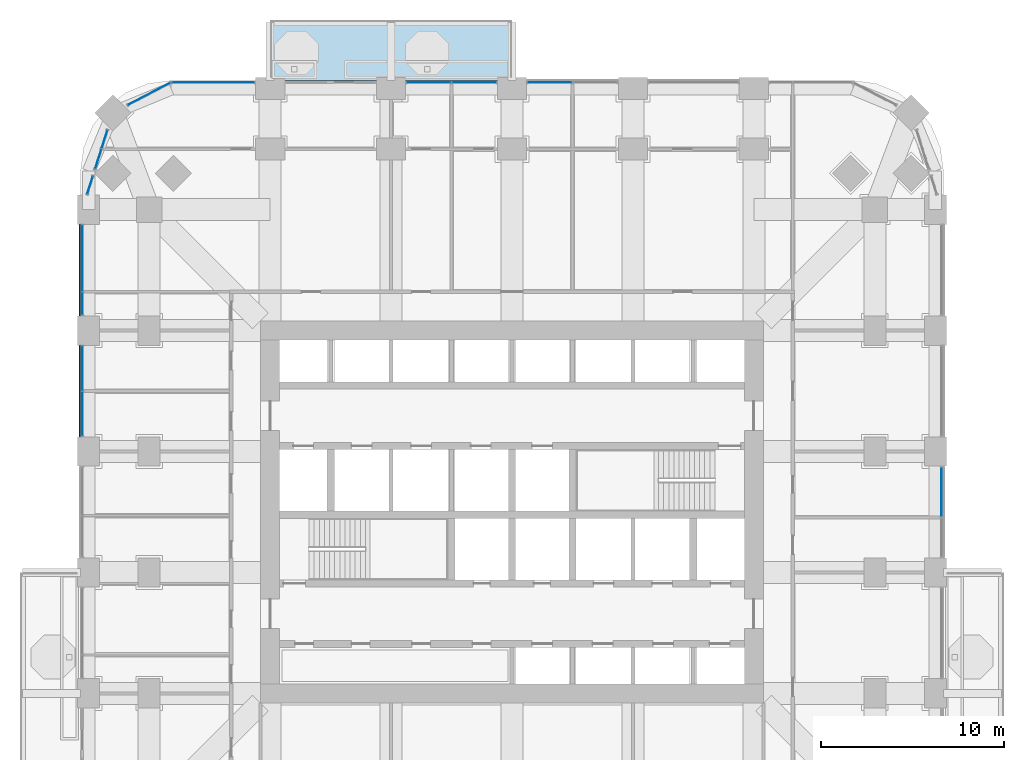
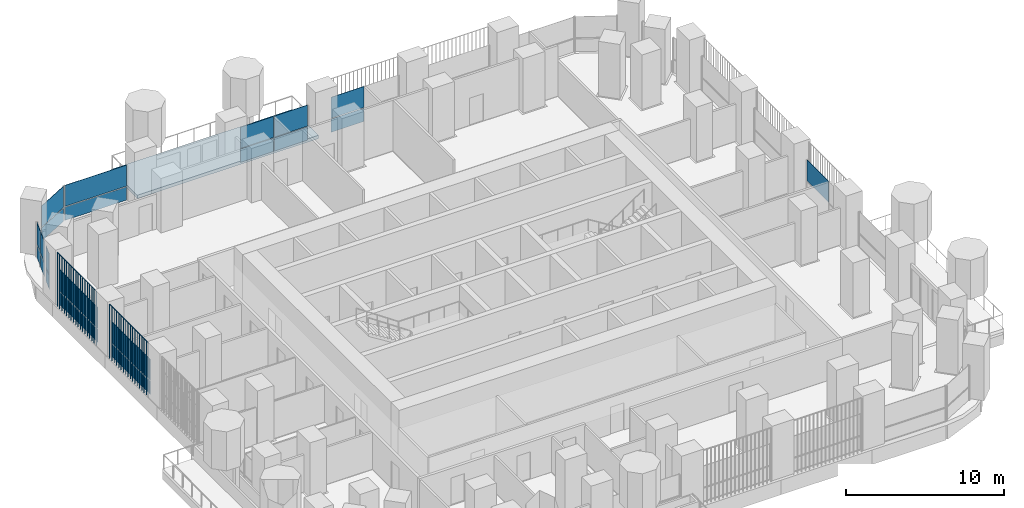
# One storey, part 10 of 21: 27 plates, 1 slab, 9 elements without a shape of their own.
"""IFC4 building model written with IfcOpenShell, lengths in metres."""

from ifc_helpers import new_model, si_unit, direction, frame, origin, origin_2d, place, context, subcontext, project, spatial, polyline, rectangle, outline, extrude, material, layer, layer_set, type_object, element, aggregate, save


model = new_model("IFC4")

# Units and contexts
model_context = context("Model", 3, precision=1e-05, world=origin(), true_north=direction((0.0, 1.0)))
body_context = subcontext(model_context, "Body", "Model", "MODEL_VIEW")
ifc_project = project(units=[si_unit("LENGTHUNIT", "METRE"), si_unit("AREAUNIT", "SQUARE_METRE"), si_unit("VOLUMEUNIT", "CUBIC_METRE"), si_unit("PLANEANGLEUNIT", "RADIAN"), si_unit("MASSUNIT", "GRAM", prefix="KILO")], contexts=[model_context])

# Site, building, storey
site_placement = place(None, origin())
site = spatial("IfcSite", under=ifc_project, at=site_placement, CompositionType="ELEMENT")
building_placement = place(site_placement, origin())
building = spatial("IfcBuilding", under=site, at=building_placement, Name="Cobogo Forest Laboratory Tower", CompositionType="ELEMENT")
storey_placement = place(building_placement, frame((0.0, 0.0, 90.60009765625)))
storey = spatial("IfcBuildingStorey", under=building, at=storey_placement, Name="L20", CompositionType="ELEMENT", Elevation=90.60009765625)

# Slab
ifc_material_1 = material(Name="Concrete HA-40 (C40/50)", Category="concrete")
ifc_layer_1 = layer(ifc_material_1, 0.25)
ifc_layer_set_1 = layer_set([ifc_layer_1], Name="Balcony slab 250")
slab_type = type_object("IfcSlabType", Name="Balcony slab 250", PredefinedType="FLOOR", material=ifc_layer_set_1)
slab_placement = place(storey_placement, frame((0.0, 0.0, -0.25)))
element("IfcSlab", 1, at=slab_placement, inside=storey, type_object=slab_type, Name="Balcony BAL-N1 L20", PredefinedType="FLOOR", context=body_context, shape_type="SweptSolid", body=[
    extrude(outline(polyline([(13.199951171875, 46.64990234375), (26.39990234375, 46.64990234375), (26.39990234375, 49.949951171875), (13.199951171875, 49.949951171875), (13.199951171875, 46.64990234375)])), origin(), (0.0, 0.0, 1.0), 0.25),
])

# Curtain wall, plate
ifc_material_2 = material(Name="Aluminium curtain wall", Category="aluminium")
curtain_wall_type = type_object("IfcCurtainWallType", Name="CW-1 unitised curtain wall, clear glazing, laboratory floors zones A and B", PredefinedType="USERDEFINED", material=ifc_material_2)
curtain_wall_1_placement = place(storey_placement, origin())
curtain_wall_1 = element("IfcCurtainWall", 2, at=curtain_wall_1_placement, inside=storey, type_object=curtain_wall_type, Name="Curtain wall 12 L20", ObjectType="UNITISED CURTAIN WALL", PredefinedType="USERDEFINED")
ifc_material_3 = material(Name="Clear insulated glass", Category="glass")
ifc_layer_2 = layer(ifc_material_3, 0.028076171875)
ifc_layer_set_2 = layer_set([ifc_layer_2], Name="GP-1 clear insulated glass unit 28")
plate_type_1 = type_object("IfcPlateType", Name="GP-1 clear insulated glass unit 28", PredefinedType="CURTAIN_PANEL", material=ifc_layer_set_2)
plate_1_placement = place(storey_placement, frame((49.85009765625, 24.18505859375, 1.079833984375), z_axis=(0.0, 0.0, 1.0), x_axis=(0.0, 1.0, 0.0)))
plate_1 = element("IfcPlate", 3, at=plate_1_placement, type_object=plate_type_1, Name="CW-1 panel 2.2", PredefinedType="CURTAIN_PANEL", context=body_context, shape_type="SweptSolid", body=[
    extrude(rectangle(XDim=2.7099609375, YDim=0.028076171875, at=origin_2d()), origin(), (0.0, 0.0, 1.0), 1.6201171875),
])
aggregate(curtain_wall_1, [plate_1])

# Curtain wall, plates
curtain_wall_2_placement = place(storey_placement, origin())
curtain_wall_2 = element("IfcCurtainWall", 4, at=curtain_wall_2_placement, inside=storey, type_object=curtain_wall_type, Name="Curtain wall 20 L20", ObjectType="UNITISED CURTAIN WALL", PredefinedType="USERDEFINED")
plate_2_placement = place(storey_placement, frame((28.465087890625, 46.550048828125, 0.0), z_axis=(0.0, 0.0, 1.0), x_axis=(-1.0, 0.0, 0.0)))
plate_2 = element("IfcPlate", 5, at=plate_2_placement, type_object=plate_type_1, Name="CW-1 panel 2.1", PredefinedType="CURTAIN_PANEL", context=body_context, shape_type="SweptSolid", body=[
    extrude(rectangle(XDim=2.409912109375, YDim=0.028076171875, at=origin_2d()), origin(), (0.0, 0.0, 1.0), 1.02001953125),
])
plate_3_placement = place(storey_placement, frame((28.465087890625, 46.550048828125, 1.079833984375), z_axis=(0.0, 0.0, 1.0), x_axis=(-1.0, 0.0, 0.0)))
plate_3 = element("IfcPlate", 6, at=plate_3_placement, type_object=plate_type_1, Name="CW-1 panel 2.2", PredefinedType="CURTAIN_PANEL", context=body_context, shape_type="SweptSolid", body=[
    extrude(rectangle(XDim=2.409912109375, YDim=0.028076171875, at=origin_2d()), origin(), (0.0, 0.0, 1.0), 1.6201171875),
])
aggregate(curtain_wall_2, [plate_2, plate_3])

curtain_wall_3_placement = place(storey_placement, origin())
curtain_wall_3 = element("IfcCurtainWall", 7, at=curtain_wall_3_placement, inside=storey, type_object=curtain_wall_type, Name="Curtain wall 21 L20", ObjectType="UNITISED CURTAIN WALL", PredefinedType="USERDEFINED")
plate_4_placement = place(storey_placement, frame((24.3349609375, 46.550048828125, 0.0), z_axis=(0.0, 0.0, 1.0), x_axis=(-1.0, 0.0, 0.0)))
plate_4 = element("IfcPlate", 8, at=plate_4_placement, type_object=plate_type_1, Name="CW-1 panel 1.1", PredefinedType="CURTAIN_PANEL", context=body_context, shape_type="SweptSolid", body=[
    extrude(rectangle(XDim=2.409912109375, YDim=0.028076171875, at=origin_2d()), origin(), (0.0, 0.0, 1.0), 1.02001953125),
])
plate_5_placement = place(storey_placement, frame((24.3349609375, 46.550048828125, 1.079833984375), z_axis=(0.0, 0.0, 1.0), x_axis=(-1.0, 0.0, 0.0)))
plate_5 = element("IfcPlate", 9, at=plate_5_placement, type_object=plate_type_1, Name="CW-1 panel 1.2", PredefinedType="CURTAIN_PANEL", context=body_context, shape_type="SweptSolid", body=[
    extrude(rectangle(XDim=2.409912109375, YDim=0.028076171875, at=origin_2d()), origin(), (0.0, 0.0, 1.0), 1.6201171875),
])
plate_6_placement = place(storey_placement, frame((21.864990234375, 46.550048828125, 0.0), z_axis=(0.0, 0.0, 1.0), x_axis=(-1.0, 0.0, 0.0)))
plate_6 = element("IfcPlate", 10, at=plate_6_placement, type_object=plate_type_1, Name="CW-1 panel 2.1", PredefinedType="CURTAIN_PANEL", context=body_context, shape_type="SweptSolid", body=[
    extrude(rectangle(XDim=2.409912109375, YDim=0.028076171875, at=origin_2d()), origin(), (0.0, 0.0, 1.0), 1.02001953125),
])
plate_7_placement = place(storey_placement, frame((21.864990234375, 46.550048828125, 1.079833984375), z_axis=(0.0, 0.0, 1.0), x_axis=(-1.0, 0.0, 0.0)))
plate_7 = element("IfcPlate", 11, at=plate_7_placement, type_object=plate_type_1, Name="CW-1 panel 2.2", PredefinedType="CURTAIN_PANEL", context=body_context, shape_type="SweptSolid", body=[
    extrude(rectangle(XDim=2.409912109375, YDim=0.028076171875, at=origin_2d()), origin(), (0.0, 0.0, 1.0), 1.6201171875),
])
aggregate(curtain_wall_3, [plate_4, plate_5, plate_6, plate_7])

curtain_wall_4_placement = place(storey_placement, origin())
curtain_wall_4 = element("IfcCurtainWall", 12, at=curtain_wall_4_placement, inside=storey, type_object=curtain_wall_type, Name="Curtain wall 23 L20", ObjectType="UNITISED CURTAIN WALL", PredefinedType="USERDEFINED")
plate_8_placement = place(storey_placement, frame((10.10009765625, 46.550048828125, 0.0), z_axis=(0.0, 0.0, 1.0), x_axis=(-1.0, 0.0, 0.0)))
plate_8 = element("IfcPlate", 13, at=plate_8_placement, type_object=plate_type_1, Name="CW-1 panel 1.1", PredefinedType="CURTAIN_PANEL", context=body_context, shape_type="SweptSolid", body=[
    extrude(rectangle(XDim=4.47998046875, YDim=0.028076171875, at=origin_2d()), origin(), (0.0, 0.0, 1.0), 1.02001953125),
])
plate_9_placement = place(storey_placement, frame((10.10009765625, 46.550048828125, 1.079833984375), z_axis=(0.0, 0.0, 1.0), x_axis=(-1.0, 0.0, 0.0)))
plate_9 = element("IfcPlate", 14, at=plate_9_placement, type_object=plate_type_1, Name="CW-1 panel 1.2", PredefinedType="CURTAIN_PANEL", context=body_context, shape_type="SweptSolid", body=[
    extrude(rectangle(XDim=4.47998046875, YDim=0.028076171875, at=origin_2d()), origin(), (0.0, 0.0, 1.0), 1.6201171875),
])
aggregate(curtain_wall_4, [plate_8, plate_9])

curtain_wall_5_placement = place(storey_placement, origin())
curtain_wall_5 = element("IfcCurtainWall", 15, at=curtain_wall_5_placement, inside=storey, type_object=curtain_wall_type, Name="Curtain wall 24 L20", ObjectType="UNITISED CURTAIN WALL", PredefinedType="USERDEFINED")
plate_10_placement = place(storey_placement, frame((6.593994140625, 45.917724609375, 0.0), z_axis=(0.0, 0.0, 1.0), x_axis=(-0.885686540666, -0.464283697413, 0.0)))
plate_10 = element("IfcPlate", 16, at=plate_10_placement, type_object=plate_type_1, Name="CW-1 panel 1.1", PredefinedType="CURTAIN_PANEL", context=body_context, shape_type="SweptSolid", body=[
    extrude(rectangle(XDim=2.603271484375, YDim=0.028076171875, at=origin_2d()), origin(), (0.0, 0.0, 1.0), 1.02001953125),
])
plate_11_placement = place(storey_placement, frame((6.593994140625, 45.917724609375, 1.079833984375), z_axis=(0.0, 0.0, 1.0), x_axis=(-0.885686540666, -0.464283697413, 0.0)))
plate_11 = element("IfcPlate", 17, at=plate_11_placement, type_object=plate_type_1, Name="CW-1 panel 1.2", PredefinedType="CURTAIN_PANEL", context=body_context, shape_type="SweptSolid", body=[
    extrude(rectangle(XDim=2.603271484375, YDim=0.028076171875, at=origin_2d()), origin(), (0.0, 0.0, 1.0), 1.6201171875),
])
aggregate(curtain_wall_5, [plate_10, plate_11])

curtain_wall_6_placement = place(storey_placement, origin())
curtain_wall_6 = element("IfcCurtainWall", 18, at=curtain_wall_6_placement, inside=storey, type_object=curtain_wall_type, Name="Curtain wall 25 L20", ObjectType="UNITISED CURTAIN WALL", PredefinedType="USERDEFINED")
plate_12_placement = place(storey_placement, frame((4.16357421875, 43.442626953125, 0.0), z_axis=(0.0, 0.0, 1.0), x_axis=(-0.301135343623, -0.953581409645, 0.0)))
plate_12 = element("IfcPlate", 19, at=plate_12_placement, type_object=plate_type_1, Name="CW-1 panel 1.1", PredefinedType="CURTAIN_PANEL", context=body_context, shape_type="SweptSolid", body=[
    extrude(rectangle(XDim=1.027587890625, YDim=0.028076171875, at=origin_2d()), origin(), (0.0, 0.0, 1.0), 1.02001953125),
])
plate_13_placement = place(storey_placement, frame((4.16357421875, 43.442626953125, 1.079833984375), z_axis=(0.0, 0.0, 1.0), x_axis=(-0.301135343623, -0.953581409645, 0.0)))
plate_13 = element("IfcPlate", 20, at=plate_13_placement, type_object=plate_type_1, Name="CW-1 panel 1.2", PredefinedType="CURTAIN_PANEL", context=body_context, shape_type="SweptSolid", body=[
    extrude(rectangle(XDim=1.027587890625, YDim=0.028076171875, at=origin_2d()), origin(), (0.0, 0.0, 1.0), 1.6201171875),
])
plate_14_placement = place(storey_placement, frame((3.82275390625, 42.363525390625, 0.0), z_axis=(0.0, 0.0, 1.0), x_axis=(-0.301135343623, -0.953581409645, 0.0)))
plate_14 = element("IfcPlate", 21, at=plate_14_placement, type_object=plate_type_1, Name="CW-1 panel 2.1", PredefinedType="CURTAIN_PANEL", context=body_context, shape_type="SweptSolid", body=[
    extrude(rectangle(XDim=1.11572265625, YDim=0.028076171875, at=origin_2d()), origin(), (0.0, 0.0, 1.0), 1.02001953125),
])
plate_15_placement = place(storey_placement, frame((3.82275390625, 42.363525390625, 1.079833984375), z_axis=(0.0, 0.0, 1.0), x_axis=(-0.301135343623, -0.953581409645, 0.0)))
plate_15 = element("IfcPlate", 22, at=plate_15_placement, type_object=plate_type_1, Name="CW-1 panel 2.2", PredefinedType="CURTAIN_PANEL", context=body_context, shape_type="SweptSolid", body=[
    extrude(rectangle(XDim=1.11572265625, YDim=0.028076171875, at=origin_2d()), origin(), (0.0, 0.0, 1.0), 1.6201171875),
])
aggregate(curtain_wall_6, [plate_12, plate_13, plate_14, plate_15])

curtain_wall_7_placement = place(storey_placement, origin())
curtain_wall_7 = element("IfcCurtainWall", 23, at=curtain_wall_7_placement, inside=storey, type_object=curtain_wall_type, Name="Curtain wall 26 L20", ObjectType="UNITISED CURTAIN WALL", PredefinedType="USERDEFINED")
plate_16_placement = place(storey_placement, frame((3.37353515625, 40.94091796875, 0.0), z_axis=(0.0, 0.0, 1.0), x_axis=(-0.3011355018, -0.953581359694, 0.0)))
plate_16 = element("IfcPlate", 24, at=plate_16_placement, type_object=plate_type_1, Name="CW-1 panel 1.1", PredefinedType="CURTAIN_PANEL", context=body_context, shape_type="SweptSolid", body=[
    extrude(rectangle(XDim=1.0146484375, YDim=0.028076171875, at=origin_2d()), origin(), (0.0, 0.0, 1.0), 1.02001953125),
])
plate_17_placement = place(storey_placement, frame((3.37353515625, 40.94091796875, 1.079833984375), z_axis=(0.0, 0.0, 1.0), x_axis=(-0.3011355018, -0.953581359694, 0.0)))
plate_17 = element("IfcPlate", 25, at=plate_17_placement, type_object=plate_type_1, Name="CW-1 panel 1.2", PredefinedType="CURTAIN_PANEL", context=body_context, shape_type="SweptSolid", body=[
    extrude(rectangle(XDim=1.0146484375, YDim=0.028076171875, at=origin_2d()), origin(), (0.0, 0.0, 1.0), 1.6201171875),
])
aggregate(curtain_wall_7, [plate_16, plate_17])

curtain_wall_8_placement = place(storey_placement, origin())
curtain_wall_8 = element("IfcCurtainWall", 26, at=curtain_wall_8_placement, inside=storey, type_object=curtain_wall_type, Name="Curtain wall 27 L20", ObjectType="UNITISED CURTAIN WALL", PredefinedType="USERDEFINED")
plate_18_placement = place(storey_placement, frame((2.949951171875, 36.947509765625, 0.0), z_axis=(0.0, 0.0, 1.0), x_axis=(0.0, -1.0, 0.0)))
plate_18 = element("IfcPlate", 27, at=plate_18_placement, type_object=plate_type_1, Name="CW-1 panel 1.1", PredefinedType="CURTAIN_PANEL", context=body_context, shape_type="SweptSolid", body=[
    extrude(rectangle(XDim=3.5849609375, YDim=0.028076171875, at=origin_2d()), origin(), (0.0, 0.0, 1.0), 1.02001953125),
])
plate_19_placement = place(storey_placement, frame((2.949951171875, 36.947509765625, 1.079833984375), z_axis=(0.0, 0.0, 1.0), x_axis=(0.0, -1.0, 0.0)))
plate_19 = element("IfcPlate", 28, at=plate_19_placement, type_object=plate_type_1, Name="CW-1 panel 1.2", PredefinedType="CURTAIN_PANEL", context=body_context, shape_type="SweptSolid", body=[
    extrude(rectangle(XDim=3.5849609375, YDim=0.028076171875, at=origin_2d()), origin(), (0.0, 0.0, 1.0), 1.6201171875),
])
plate_20_placement = place(storey_placement, frame((2.949951171875, 34.4775390625, 0.0), z_axis=(0.0, 0.0, 1.0), x_axis=(0.0, -1.0, 0.0)))
plate_20 = element("IfcPlate", 29, at=plate_20_placement, type_object=plate_type_1, Name="CW-1 panel 2.1", PredefinedType="CURTAIN_PANEL", context=body_context, shape_type="SweptSolid", body=[
    extrude(rectangle(XDim=1.235107421875, YDim=0.028076171875, at=origin_2d()), origin(), (0.0, 0.0, 1.0), 1.02001953125),
])
plate_21_placement = place(storey_placement, frame((2.949951171875, 34.4775390625, 1.079833984375), z_axis=(0.0, 0.0, 1.0), x_axis=(0.0, -1.0, 0.0)))
plate_21 = element("IfcPlate", 30, at=plate_21_placement, type_object=plate_type_1, Name="CW-1 panel 2.2", PredefinedType="CURTAIN_PANEL", context=body_context, shape_type="SweptSolid", body=[
    extrude(rectangle(XDim=1.235107421875, YDim=0.028076171875, at=origin_2d()), origin(), (0.0, 0.0, 1.0), 1.6201171875),
])
aggregate(curtain_wall_8, [plate_18, plate_19, plate_20, plate_21])

curtain_wall_9_placement = place(storey_placement, origin())
curtain_wall_9 = element("IfcCurtainWall", 31, at=curtain_wall_9_placement, inside=storey, type_object=curtain_wall_type, Name="Curtain wall 28 L20", ObjectType="UNITISED CURTAIN WALL", PredefinedType="USERDEFINED")
plate_22_placement = place(storey_placement, frame((2.949951171875, 30.93505859375, 0.0), z_axis=(0.0, 0.0, 1.0), x_axis=(0.0, -1.0, 0.0)))
plate_22 = element("IfcPlate", 32, at=plate_22_placement, type_object=plate_type_1, Name="CW-1 panel 1.1", PredefinedType="CURTAIN_PANEL", context=body_context, shape_type="SweptSolid", body=[
    extrude(rectangle(XDim=2.409912109375, YDim=0.028076171875, at=origin_2d()), origin(), (0.0, 0.0, 1.0), 1.02001953125),
])
plate_23_placement = place(storey_placement, frame((2.949951171875, 30.93505859375, 1.079833984375), z_axis=(0.0, 0.0, 1.0), x_axis=(0.0, -1.0, 0.0)))
plate_23 = element("IfcPlate", 33, at=plate_23_placement, type_object=plate_type_1, Name="CW-1 panel 1.2", PredefinedType="CURTAIN_PANEL", context=body_context, shape_type="SweptSolid", body=[
    extrude(rectangle(XDim=2.409912109375, YDim=0.028076171875, at=origin_2d()), origin(), (0.0, 0.0, 1.0), 1.6201171875),
])
plate_24_placement = place(storey_placement, frame((2.949951171875, 28.465087890625, 0.0), z_axis=(0.0, 0.0, 1.0), x_axis=(0.0, -1.0, 0.0)))
plate_24 = element("IfcPlate", 34, at=plate_24_placement, type_object=plate_type_1, Name="CW-1 panel 2.1", PredefinedType="CURTAIN_PANEL", context=body_context, shape_type="SweptSolid", body=[
    extrude(rectangle(XDim=2.409912109375, YDim=0.028076171875, at=origin_2d()), origin(), (0.0, 0.0, 1.0), 1.02001953125),
])
plate_25_placement = place(storey_placement, frame((2.949951171875, 28.465087890625, 1.079833984375), z_axis=(0.0, 0.0, 1.0), x_axis=(0.0, -1.0, 0.0)))
plate_25 = element("IfcPlate", 35, at=plate_25_placement, type_object=plate_type_1, Name="CW-1 panel 2.2", PredefinedType="CURTAIN_PANEL", context=body_context, shape_type="SweptSolid", body=[
    extrude(rectangle(XDim=2.409912109375, YDim=0.028076171875, at=origin_2d()), origin(), (0.0, 0.0, 1.0), 1.6201171875),
])
aggregate(curtain_wall_9, [plate_22, plate_23, plate_24, plate_25])

# Plates
ifc_material_4 = material(Name="Terracotta", Category="masonry")
plate_type_2 = type_object("IfcPlateType", Name="TB1 terracotta baguette screen", PredefinedType="USERDEFINED", material=ifc_material_4)
plate_26_placement = place(storey_placement, frame((2.822021484375, 27.231201171875, -0.150146484375)))
element("IfcPlate", 36, at=plate_26_placement, inside=storey, type_object=plate_type_2, Name="Baguette screen W4 L20", ObjectType="BAGUETTE SCREEN", PredefinedType="USERDEFINED", context=body_context, shape_type="SweptSolid", body=[
    extrude(outline(polyline([(0.02880859375, 0.011962890625), (0.011962890625, 0.02880859375), (-0.011962890625, 0.02880859375), (-0.02880859375, 0.011962890625), (-0.02880859375, -0.011962890625), (-0.011962890625, -0.02880859375), (0.011962890625, -0.02880859375), (0.02880859375, -0.011962890625), (0.02880859375, 0.011962890625)])), frame((0.0, 0.0, 4.168701171875), z_axis=(0.0, 1.0, 0.0), x_axis=(-1.0, 0.0, 0.0)), (0.0, 0.0, 1.0), 4.9375),
    extrude(outline(polyline([(0.02880859375, 0.011962890625), (0.011962890625, 0.02880859375), (-0.011962890625, 0.02880859375), (-0.02880859375, 0.011962890625), (-0.02880859375, -0.011962890625), (-0.011962890625, -0.02880859375), (0.011962890625, -0.02880859375), (0.02880859375, -0.011962890625), (0.02880859375, 0.011962890625)])), origin(), (0.0, 0.0, 1.0), 4.137451171875),
    extrude(outline(polyline([(0.02880859375, 0.011962890625), (0.011962890625, 0.02880859375), (-0.011962890625, 0.02880859375), (-0.02880859375, 0.011962890625), (-0.02880859375, -0.011962890625), (-0.011962890625, -0.02880859375), (0.011962890625, -0.02880859375), (0.02880859375, -0.011962890625), (0.02880859375, 0.011962890625)])), frame((0.0, 0.29052734375, 0.0)), (0.0, 0.0, 1.0), 4.137451171875),
    extrude(outline(polyline([(0.02880859375, 0.011962890625), (0.011962890625, 0.02880859375), (-0.011962890625, 0.02880859375), (-0.02880859375, 0.011962890625), (-0.02880859375, -0.011962890625), (-0.011962890625, -0.02880859375), (0.011962890625, -0.02880859375), (0.02880859375, -0.011962890625), (0.02880859375, 0.011962890625)])), frame((0.0, 0.580810546875, 0.0)), (0.0, 0.0, 1.0), 4.137451171875),
    extrude(outline(polyline([(0.02880859375, 0.011962890625), (0.011962890625, 0.02880859375), (-0.011962890625, 0.02880859375), (-0.02880859375, 0.011962890625), (-0.02880859375, -0.011962890625), (-0.011962890625, -0.02880859375), (0.011962890625, -0.02880859375), (0.02880859375, -0.011962890625), (0.02880859375, 0.011962890625)])), frame((0.0, 0.871337890625, 0.0)), (0.0, 0.0, 1.0), 4.137451171875),
    extrude(outline(polyline([(0.02880859375, 0.011962890625), (0.011962890625, 0.02880859375), (-0.011962890625, 0.02880859375), (-0.02880859375, 0.011962890625), (-0.02880859375, -0.011962890625), (-0.011962890625, -0.02880859375), (0.011962890625, -0.02880859375), (0.02880859375, -0.011962890625), (0.02880859375, 0.011962890625)])), frame((0.0, 1.161865234375, 0.0)), (0.0, 0.0, 1.0), 4.137451171875),
    extrude(outline(polyline([(0.02880859375, 0.011962890625), (0.011962890625, 0.02880859375), (-0.011962890625, 0.02880859375), (-0.02880859375, 0.011962890625), (-0.02880859375, -0.011962890625), (-0.011962890625, -0.02880859375), (0.011962890625, -0.02880859375), (0.02880859375, -0.011962890625), (0.02880859375, 0.011962890625)])), frame((0.0, 1.4521484375, 0.0)), (0.0, 0.0, 1.0), 4.137451171875),
    extrude(outline(polyline([(0.02880859375, 0.011962890625), (0.011962890625, 0.02880859375), (-0.011962890625, 0.02880859375), (-0.02880859375, 0.011962890625), (-0.02880859375, -0.011962890625), (-0.011962890625, -0.02880859375), (0.011962890625, -0.02880859375), (0.02880859375, -0.011962890625), (0.02880859375, 0.011962890625)])), frame((0.0, 1.74267578125, 0.0)), (0.0, 0.0, 1.0), 4.137451171875),
    extrude(outline(polyline([(0.02880859375, 0.011962890625), (0.011962890625, 0.02880859375), (-0.011962890625, 0.02880859375), (-0.02880859375, 0.011962890625), (-0.02880859375, -0.011962890625), (-0.011962890625, -0.02880859375), (0.011962890625, -0.02880859375), (0.02880859375, -0.011962890625), (0.02880859375, 0.011962890625)])), frame((0.0, 2.033203125, 0.0)), (0.0, 0.0, 1.0), 4.137451171875),
    extrude(outline(polyline([(0.02880859375, 0.011962890625), (0.011962890625, 0.02880859375), (-0.011962890625, 0.02880859375), (-0.02880859375, 0.011962890625), (-0.02880859375, -0.011962890625), (-0.011962890625, -0.02880859375), (0.011962890625, -0.02880859375), (0.02880859375, -0.011962890625), (0.02880859375, 0.011962890625)])), frame((0.0, 2.323486328125, 0.0)), (0.0, 0.0, 1.0), 4.137451171875),
    extrude(outline(polyline([(0.02880859375, 0.011962890625), (0.011962890625, 0.02880859375), (-0.011962890625, 0.02880859375), (-0.02880859375, 0.011962890625), (-0.02880859375, -0.011962890625), (-0.011962890625, -0.02880859375), (0.011962890625, -0.02880859375), (0.02880859375, -0.011962890625), (0.02880859375, 0.011962890625)])), frame((0.0, 2.614013671875, 0.0)), (0.0, 0.0, 1.0), 4.137451171875),
    extrude(outline(polyline([(0.02880859375, 0.011962890625), (0.011962890625, 0.02880859375), (-0.011962890625, 0.02880859375), (-0.02880859375, 0.011962890625), (-0.02880859375, -0.011962890625), (-0.011962890625, -0.02880859375), (0.011962890625, -0.02880859375), (0.02880859375, -0.011962890625), (0.02880859375, 0.011962890625)])), frame((0.0, 2.904296875, 0.0)), (0.0, 0.0, 1.0), 4.137451171875),
    extrude(outline(polyline([(0.02880859375, 0.011962890625), (0.011962890625, 0.02880859375), (-0.011962890625, 0.02880859375), (-0.02880859375, 0.011962890625), (-0.02880859375, -0.011962890625), (-0.011962890625, -0.02880859375), (0.011962890625, -0.02880859375), (0.02880859375, -0.011962890625), (0.02880859375, 0.011962890625)])), frame((0.0, 3.19482421875, 0.0)), (0.0, 0.0, 1.0), 4.137451171875),
    extrude(outline(polyline([(0.02880859375, 0.011962890625), (0.011962890625, 0.02880859375), (-0.011962890625, 0.02880859375), (-0.02880859375, 0.011962890625), (-0.02880859375, -0.011962890625), (-0.011962890625, -0.02880859375), (0.011962890625, -0.02880859375), (0.02880859375, -0.011962890625), (0.02880859375, 0.011962890625)])), frame((0.0, 3.4853515625, 0.0)), (0.0, 0.0, 1.0), 4.137451171875),
    extrude(outline(polyline([(0.02880859375, 0.011962890625), (0.011962890625, 0.02880859375), (-0.011962890625, 0.02880859375), (-0.02880859375, 0.011962890625), (-0.02880859375, -0.011962890625), (-0.011962890625, -0.02880859375), (0.011962890625, -0.02880859375), (0.02880859375, -0.011962890625), (0.02880859375, 0.011962890625)])), frame((0.0, 3.775634765625, 0.0)), (0.0, 0.0, 1.0), 4.137451171875),
    extrude(outline(polyline([(0.02880859375, 0.011962890625), (0.011962890625, 0.02880859375), (-0.011962890625, 0.02880859375), (-0.02880859375, 0.011962890625), (-0.02880859375, -0.011962890625), (-0.011962890625, -0.02880859375), (0.011962890625, -0.02880859375), (0.02880859375, -0.011962890625), (0.02880859375, 0.011962890625)])), frame((0.0, 4.066162109375, 0.0)), (0.0, 0.0, 1.0), 4.137451171875),
    extrude(outline(polyline([(0.02880859375, 0.011962890625), (0.011962890625, 0.02880859375), (-0.011962890625, 0.02880859375), (-0.02880859375, 0.011962890625), (-0.02880859375, -0.011962890625), (-0.011962890625, -0.02880859375), (0.011962890625, -0.02880859375), (0.02880859375, -0.011962890625), (0.02880859375, 0.011962890625)])), frame((0.0, 4.356689453125, 0.0)), (0.0, 0.0, 1.0), 4.137451171875),
    extrude(outline(polyline([(0.02880859375, 0.011962890625), (0.011962890625, 0.02880859375), (-0.011962890625, 0.02880859375), (-0.02880859375, 0.011962890625), (-0.02880859375, -0.011962890625), (-0.011962890625, -0.02880859375), (0.011962890625, -0.02880859375), (0.02880859375, -0.011962890625), (0.02880859375, 0.011962890625)])), frame((0.0, 4.64697265625, 0.0)), (0.0, 0.0, 1.0), 4.137451171875),
    extrude(outline(polyline([(0.02880859375, 0.011962890625), (0.011962890625, 0.02880859375), (-0.011962890625, 0.02880859375), (-0.02880859375, 0.011962890625), (-0.02880859375, -0.011962890625), (-0.011962890625, -0.02880859375), (0.011962890625, -0.02880859375), (0.02880859375, -0.011962890625), (0.02880859375, 0.011962890625)])), frame((0.0, 4.9375, 0.0)), (0.0, 0.0, 1.0), 4.137451171875),
])
plate_27_placement = place(storey_placement, frame((2.822021484375, 33.831298828125, -0.150146484375)))
element("IfcPlate", 37, at=plate_27_placement, inside=storey, type_object=plate_type_2, Name="Baguette screen W5 L20", ObjectType="BAGUETTE SCREEN", PredefinedType="USERDEFINED", context=body_context, shape_type="SweptSolid", body=[
    extrude(outline(polyline([(0.02880859375, 0.011962890625), (0.011962890625, 0.02880859375), (-0.011962890625, 0.02880859375), (-0.02880859375, 0.011962890625), (-0.02880859375, -0.011962890625), (-0.011962890625, -0.02880859375), (0.011962890625, -0.02880859375), (0.02880859375, -0.011962890625), (0.02880859375, 0.011962890625)])), frame((0.0, 0.0, 4.168701171875), z_axis=(0.0, 1.0, 0.0), x_axis=(-1.0, 0.0, 0.0)), (0.0, 0.0, 1.0), 4.9375),
    extrude(outline(polyline([(0.02880859375, 0.011962890625), (0.011962890625, 0.02880859375), (-0.011962890625, 0.02880859375), (-0.02880859375, 0.011962890625), (-0.02880859375, -0.011962890625), (-0.011962890625, -0.02880859375), (0.011962890625, -0.02880859375), (0.02880859375, -0.011962890625), (0.02880859375, 0.011962890625)])), origin(), (0.0, 0.0, 1.0), 4.137451171875),
    extrude(outline(polyline([(0.02880859375, 0.011962890625), (0.011962890625, 0.02880859375), (-0.011962890625, 0.02880859375), (-0.02880859375, 0.011962890625), (-0.02880859375, -0.011962890625), (-0.011962890625, -0.02880859375), (0.011962890625, -0.02880859375), (0.02880859375, -0.011962890625), (0.02880859375, 0.011962890625)])), frame((0.0, 0.29052734375, 0.0)), (0.0, 0.0, 1.0), 4.137451171875),
    extrude(outline(polyline([(0.02880859375, 0.011962890625), (0.011962890625, 0.02880859375), (-0.011962890625, 0.02880859375), (-0.02880859375, 0.011962890625), (-0.02880859375, -0.011962890625), (-0.011962890625, -0.02880859375), (0.011962890625, -0.02880859375), (0.02880859375, -0.011962890625), (0.02880859375, 0.011962890625)])), frame((0.0, 0.580810546875, 0.0)), (0.0, 0.0, 1.0), 4.137451171875),
    extrude(outline(polyline([(0.02880859375, 0.011962890625), (0.011962890625, 0.02880859375), (-0.011962890625, 0.02880859375), (-0.02880859375, 0.011962890625), (-0.02880859375, -0.011962890625), (-0.011962890625, -0.02880859375), (0.011962890625, -0.02880859375), (0.02880859375, -0.011962890625), (0.02880859375, 0.011962890625)])), frame((0.0, 0.871337890625, 0.0)), (0.0, 0.0, 1.0), 4.137451171875),
    extrude(outline(polyline([(0.02880859375, 0.011962890625), (0.011962890625, 0.02880859375), (-0.011962890625, 0.02880859375), (-0.02880859375, 0.011962890625), (-0.02880859375, -0.011962890625), (-0.011962890625, -0.02880859375), (0.011962890625, -0.02880859375), (0.02880859375, -0.011962890625), (0.02880859375, 0.011962890625)])), frame((0.0, 1.161865234375, 0.0)), (0.0, 0.0, 1.0), 4.137451171875),
    extrude(outline(polyline([(0.02880859375, 0.011962890625), (0.011962890625, 0.02880859375), (-0.011962890625, 0.02880859375), (-0.02880859375, 0.011962890625), (-0.02880859375, -0.011962890625), (-0.011962890625, -0.02880859375), (0.011962890625, -0.02880859375), (0.02880859375, -0.011962890625), (0.02880859375, 0.011962890625)])), frame((0.0, 1.4521484375, 0.0)), (0.0, 0.0, 1.0), 4.137451171875),
    extrude(outline(polyline([(0.02880859375, 0.011962890625), (0.011962890625, 0.02880859375), (-0.011962890625, 0.02880859375), (-0.02880859375, 0.011962890625), (-0.02880859375, -0.011962890625), (-0.011962890625, -0.02880859375), (0.011962890625, -0.02880859375), (0.02880859375, -0.011962890625), (0.02880859375, 0.011962890625)])), frame((0.0, 1.74267578125, 0.0)), (0.0, 0.0, 1.0), 4.137451171875),
    extrude(outline(polyline([(0.02880859375, 0.011962890625), (0.011962890625, 0.02880859375), (-0.011962890625, 0.02880859375), (-0.02880859375, 0.011962890625), (-0.02880859375, -0.011962890625), (-0.011962890625, -0.02880859375), (0.011962890625, -0.02880859375), (0.02880859375, -0.011962890625), (0.02880859375, 0.011962890625)])), frame((0.0, 2.033203125, 0.0)), (0.0, 0.0, 1.0), 4.137451171875),
    extrude(outline(polyline([(0.02880859375, 0.011962890625), (0.011962890625, 0.02880859375), (-0.011962890625, 0.02880859375), (-0.02880859375, 0.011962890625), (-0.02880859375, -0.011962890625), (-0.011962890625, -0.02880859375), (0.011962890625, -0.02880859375), (0.02880859375, -0.011962890625), (0.02880859375, 0.011962890625)])), frame((0.0, 2.323486328125, 0.0)), (0.0, 0.0, 1.0), 4.137451171875),
    extrude(outline(polyline([(0.02880859375, 0.011962890625), (0.011962890625, 0.02880859375), (-0.011962890625, 0.02880859375), (-0.02880859375, 0.011962890625), (-0.02880859375, -0.011962890625), (-0.011962890625, -0.02880859375), (0.011962890625, -0.02880859375), (0.02880859375, -0.011962890625), (0.02880859375, 0.011962890625)])), frame((0.0, 2.614013671875, 0.0)), (0.0, 0.0, 1.0), 4.137451171875),
    extrude(outline(polyline([(0.02880859375, 0.011962890625), (0.011962890625, 0.02880859375), (-0.011962890625, 0.02880859375), (-0.02880859375, 0.011962890625), (-0.02880859375, -0.011962890625), (-0.011962890625, -0.02880859375), (0.011962890625, -0.02880859375), (0.02880859375, -0.011962890625), (0.02880859375, 0.011962890625)])), frame((0.0, 2.904296875, 0.0)), (0.0, 0.0, 1.0), 4.137451171875),
    extrude(outline(polyline([(0.02880859375, 0.011962890625), (0.011962890625, 0.02880859375), (-0.011962890625, 0.02880859375), (-0.02880859375, 0.011962890625), (-0.02880859375, -0.011962890625), (-0.011962890625, -0.02880859375), (0.011962890625, -0.02880859375), (0.02880859375, -0.011962890625), (0.02880859375, 0.011962890625)])), frame((0.0, 3.19482421875, 0.0)), (0.0, 0.0, 1.0), 4.137451171875),
    extrude(outline(polyline([(0.02880859375, 0.011962890625), (0.011962890625, 0.02880859375), (-0.011962890625, 0.02880859375), (-0.02880859375, 0.011962890625), (-0.02880859375, -0.011962890625), (-0.011962890625, -0.02880859375), (0.011962890625, -0.02880859375), (0.02880859375, -0.011962890625), (0.02880859375, 0.011962890625)])), frame((0.0, 3.4853515625, 0.0)), (0.0, 0.0, 1.0), 4.137451171875),
    extrude(outline(polyline([(0.02880859375, 0.011962890625), (0.011962890625, 0.02880859375), (-0.011962890625, 0.02880859375), (-0.02880859375, 0.011962890625), (-0.02880859375, -0.011962890625), (-0.011962890625, -0.02880859375), (0.011962890625, -0.02880859375), (0.02880859375, -0.011962890625), (0.02880859375, 0.011962890625)])), frame((0.0, 3.775634765625, 0.0)), (0.0, 0.0, 1.0), 4.137451171875),
    extrude(outline(polyline([(0.02880859375, 0.011962890625), (0.011962890625, 0.02880859375), (-0.011962890625, 0.02880859375), (-0.02880859375, 0.011962890625), (-0.02880859375, -0.011962890625), (-0.011962890625, -0.02880859375), (0.011962890625, -0.02880859375), (0.02880859375, -0.011962890625), (0.02880859375, 0.011962890625)])), frame((0.0, 4.066162109375, 0.0)), (0.0, 0.0, 1.0), 4.137451171875),
    extrude(outline(polyline([(0.02880859375, 0.011962890625), (0.011962890625, 0.02880859375), (-0.011962890625, 0.02880859375), (-0.02880859375, 0.011962890625), (-0.02880859375, -0.011962890625), (-0.011962890625, -0.02880859375), (0.011962890625, -0.02880859375), (0.02880859375, -0.011962890625), (0.02880859375, 0.011962890625)])), frame((0.0, 4.356689453125, 0.0)), (0.0, 0.0, 1.0), 4.137451171875),
    extrude(outline(polyline([(0.02880859375, 0.011962890625), (0.011962890625, 0.02880859375), (-0.011962890625, 0.02880859375), (-0.02880859375, 0.011962890625), (-0.02880859375, -0.011962890625), (-0.011962890625, -0.02880859375), (0.011962890625, -0.02880859375), (0.02880859375, -0.011962890625), (0.02880859375, 0.011962890625)])), frame((0.0, 4.64697265625, 0.0)), (0.0, 0.0, 1.0), 4.137451171875),
    extrude(outline(polyline([(0.02880859375, 0.011962890625), (0.011962890625, 0.02880859375), (-0.011962890625, 0.02880859375), (-0.02880859375, 0.011962890625), (-0.02880859375, -0.011962890625), (-0.011962890625, -0.02880859375), (0.011962890625, -0.02880859375), (0.02880859375, -0.011962890625), (0.02880859375, 0.011962890625)])), frame((0.0, 4.9375, 0.0)), (0.0, 0.0, 1.0), 4.137451171875),
])

save(model, "model.ifc")
